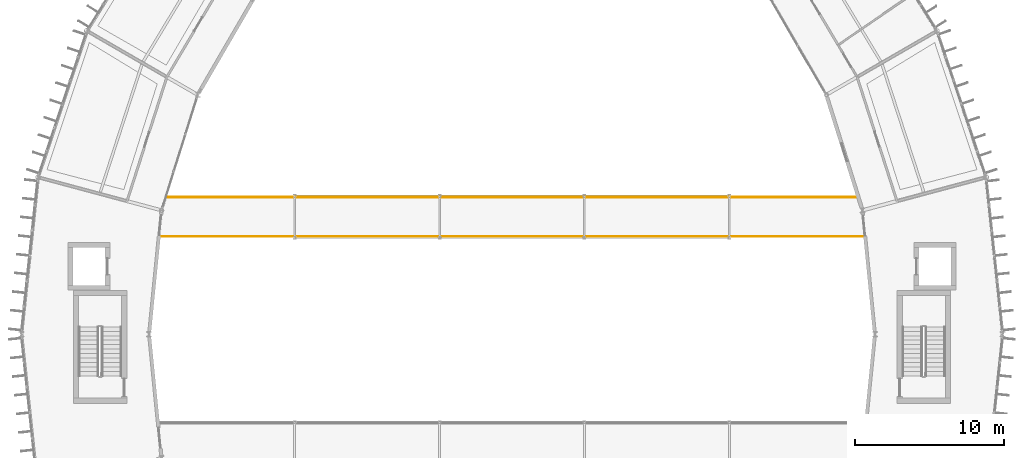
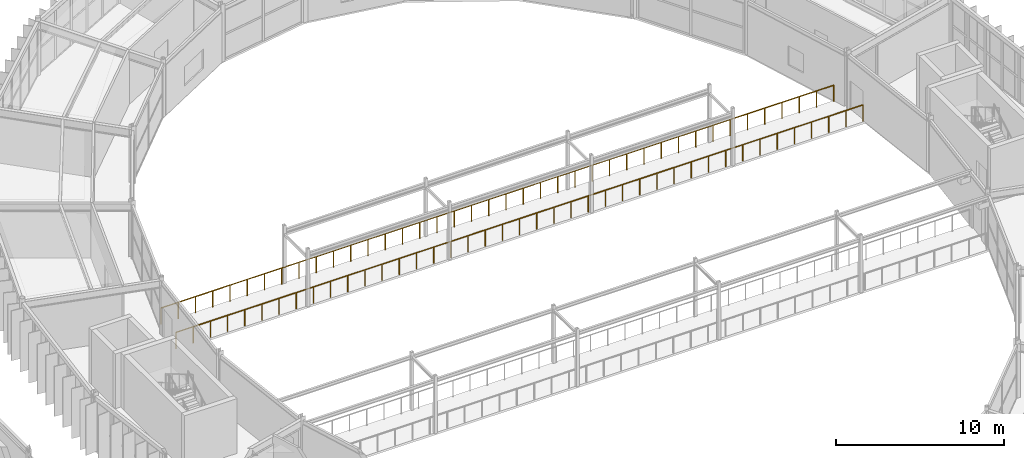
# One storey, part 141 of 148: 2 railings.
"""IFC4 building model written with IfcOpenShell, lengths in metres."""

from ifc_helpers import new_model, si_unit, direction, frame, origin, origin_2d, place, context, subcontext, project, spatial, circle, extrude, material, type_object, element, save


model = new_model("IFC4")

# Units and contexts
model_context = context("Model", 3, precision=1e-05, world=origin(), true_north=direction((0.0, 1.0)))
body_context = subcontext(model_context, "Body", "Model", "MODEL_VIEW")
ifc_project = project(units=[si_unit("LENGTHUNIT", "METRE"), si_unit("AREAUNIT", "SQUARE_METRE"), si_unit("VOLUMEUNIT", "CUBIC_METRE"), si_unit("PLANEANGLEUNIT", "RADIAN"), si_unit("MASSUNIT", "GRAM", prefix="KILO")], contexts=[model_context])

# Site, building, storey
site_placement = place(None, origin())
site = spatial("IfcSite", under=ifc_project, at=site_placement, CompositionType="ELEMENT")
building_placement = place(site_placement, origin())
building = spatial("IfcBuilding", under=site, at=building_placement, Name="Karori Crest Natural Sciences Institute", CompositionType="ELEMENT")
storey_placement = place(building_placement, frame((0.0, 0.0, 4.89990234375)))
storey = spatial("IfcBuildingStorey", under=building, at=storey_placement, Name="L01", CompositionType="ELEMENT", Elevation=4.89990234375)

# Railings
ifc_material = material(Name="Stainless steel 316 balustrade", Category="steel")
railing_type = type_object("IfcRailingType", Name="RLT-GRD", PredefinedType="GUARDRAIL", material=ifc_material)
railing_1_placement = place(storey_placement, frame((42.788330078125, 56.47998046875, 0.0)))
element("IfcRailing", 1, at=railing_1_placement, inside=storey, type_object=railing_type, Name="Courtyard bridge south guard GR-0005", PredefinedType="GUARDRAIL", context=body_context, shape_type="SweptSolid", body=[
    extrude(circle(Radius=0.02392578125, at=origin_2d()), frame((0.0, 0.0, 1.17578125), z_axis=(1.0, 0.0, 0.0), x_axis=(0.0, 1.0, 0.0)), (0.0, 0.0, 1.0), 47.223388671875),
    extrude(circle(Radius=0.02099609375, at=origin_2d()), origin(), (0.0, 0.0, 1.0), 1.15185546875),
    extrude(circle(Radius=0.02099609375, at=origin_2d()), frame((1.1806640625, 0.0, 0.0)), (0.0, 0.0, 1.0), 1.15185546875),
    extrude(circle(Radius=0.02099609375, at=origin_2d()), frame((2.361083984375, 0.0, 0.0)), (0.0, 0.0, 1.0), 1.15185546875),
    extrude(circle(Radius=0.02099609375, at=origin_2d()), frame((3.541748046875, 0.0, 0.0)), (0.0, 0.0, 1.0), 1.15185546875),
    extrude(circle(Radius=0.02099609375, at=origin_2d()), frame((4.722412109375, 0.0, 0.0)), (0.0, 0.0, 1.0), 1.15185546875),
    extrude(circle(Radius=0.02099609375, at=origin_2d()), frame((5.90283203125, 0.0, 0.0)), (0.0, 0.0, 1.0), 1.15185546875),
    extrude(circle(Radius=0.02099609375, at=origin_2d()), frame((7.08349609375, 0.0, 0.0)), (0.0, 0.0, 1.0), 1.15185546875),
    extrude(circle(Radius=0.02099609375, at=origin_2d()), frame((8.26416015625, 0.0, 0.0)), (0.0, 0.0, 1.0), 1.15185546875),
    extrude(circle(Radius=0.02099609375, at=origin_2d()), frame((9.444580078125, 0.0, 0.0)), (0.0, 0.0, 1.0), 1.15185546875),
    extrude(circle(Radius=0.02099609375, at=origin_2d()), frame((10.625244140625, 0.0, 0.0)), (0.0, 0.0, 1.0), 1.15185546875),
    extrude(circle(Radius=0.02099609375, at=origin_2d()), frame((11.805908203125, 0.0, 0.0)), (0.0, 0.0, 1.0), 1.15185546875),
    extrude(circle(Radius=0.02099609375, at=origin_2d()), frame((12.986328125, 0.0, 0.0)), (0.0, 0.0, 1.0), 1.15185546875),
    extrude(circle(Radius=0.02099609375, at=origin_2d()), frame((14.1669921875, 0.0, 0.0)), (0.0, 0.0, 1.0), 1.15185546875),
    extrude(circle(Radius=0.02099609375, at=origin_2d()), frame((15.34765625, 0.0, 0.0)), (0.0, 0.0, 1.0), 1.15185546875),
    extrude(circle(Radius=0.02099609375, at=origin_2d()), frame((16.528076171875, 0.0, 0.0)), (0.0, 0.0, 1.0), 1.15185546875),
    extrude(circle(Radius=0.02099609375, at=origin_2d()), frame((17.708740234375, 0.0, 0.0)), (0.0, 0.0, 1.0), 1.15185546875),
    extrude(circle(Radius=0.02099609375, at=origin_2d()), frame((18.889404296875, 0.0, 0.0)), (0.0, 0.0, 1.0), 1.15185546875),
    extrude(circle(Radius=0.02099609375, at=origin_2d()), frame((20.06982421875, 0.0, 0.0)), (0.0, 0.0, 1.0), 1.15185546875),
    extrude(circle(Radius=0.02099609375, at=origin_2d()), frame((21.25048828125, 0.0, 0.0)), (0.0, 0.0, 1.0), 1.15185546875),
    extrude(circle(Radius=0.02099609375, at=origin_2d()), frame((22.43115234375, 0.0, 0.0)), (0.0, 0.0, 1.0), 1.15185546875),
    extrude(circle(Radius=0.02099609375, at=origin_2d()), frame((23.61181640625, 0.0, 0.0)), (0.0, 0.0, 1.0), 1.15185546875),
    extrude(circle(Radius=0.02099609375, at=origin_2d()), frame((24.792236328125, 0.0, 0.0)), (0.0, 0.0, 1.0), 1.15185546875),
    extrude(circle(Radius=0.02099609375, at=origin_2d()), frame((25.972900390625, 0.0, 0.0)), (0.0, 0.0, 1.0), 1.15185546875),
    extrude(circle(Radius=0.02099609375, at=origin_2d()), frame((27.153564453125, 0.0, 0.0)), (0.0, 0.0, 1.0), 1.15185546875),
    extrude(circle(Radius=0.02099609375, at=origin_2d()), frame((28.333984375, 0.0, 0.0)), (0.0, 0.0, 1.0), 1.15185546875),
    extrude(circle(Radius=0.02099609375, at=origin_2d()), frame((29.5146484375, 0.0, 0.0)), (0.0, 0.0, 1.0), 1.15185546875),
    extrude(circle(Radius=0.02099609375, at=origin_2d()), frame((30.6953125, 0.0, 0.0)), (0.0, 0.0, 1.0), 1.15185546875),
    extrude(circle(Radius=0.02099609375, at=origin_2d()), frame((31.875732421875, 0.0, 0.0)), (0.0, 0.0, 1.0), 1.15185546875),
    extrude(circle(Radius=0.02099609375, at=origin_2d()), frame((33.056396484375, 0.0, 0.0)), (0.0, 0.0, 1.0), 1.15185546875),
    extrude(circle(Radius=0.02099609375, at=origin_2d()), frame((34.237060546875, 0.0, 0.0)), (0.0, 0.0, 1.0), 1.15185546875),
    extrude(circle(Radius=0.02099609375, at=origin_2d()), frame((35.41748046875, 0.0, 0.0)), (0.0, 0.0, 1.0), 1.15185546875),
    extrude(circle(Radius=0.02099609375, at=origin_2d()), frame((36.59814453125, 0.0, 0.0)), (0.0, 0.0, 1.0), 1.15185546875),
    extrude(circle(Radius=0.02099609375, at=origin_2d()), frame((37.77880859375, 0.0, 0.0)), (0.0, 0.0, 1.0), 1.15185546875),
    extrude(circle(Radius=0.02099609375, at=origin_2d()), frame((38.959228515625, 0.0, 0.0)), (0.0, 0.0, 1.0), 1.15185546875),
    extrude(circle(Radius=0.02099609375, at=origin_2d()), frame((40.139892578125, 0.0, 0.0)), (0.0, 0.0, 1.0), 1.15185546875),
    extrude(circle(Radius=0.02099609375, at=origin_2d()), frame((41.320556640625, 0.0, 0.0)), (0.0, 0.0, 1.0), 1.15185546875),
    extrude(circle(Radius=0.02099609375, at=origin_2d()), frame((42.5009765625, 0.0, 0.0)), (0.0, 0.0, 1.0), 1.15185546875),
    extrude(circle(Radius=0.02099609375, at=origin_2d()), frame((43.681640625, 0.0, 0.0)), (0.0, 0.0, 1.0), 1.15185546875),
    extrude(circle(Radius=0.02099609375, at=origin_2d()), frame((44.8623046875, 0.0, 0.0)), (0.0, 0.0, 1.0), 1.15185546875),
    extrude(circle(Radius=0.02099609375, at=origin_2d()), frame((46.042724609375, 0.0, 0.0)), (0.0, 0.0, 1.0), 1.15185546875),
    extrude(circle(Radius=0.02099609375, at=origin_2d()), frame((47.223388671875, 0.0, 0.0)), (0.0, 0.0, 1.0), 1.15185546875),
])
railing_2_placement = place(storey_placement, frame((43.274658203125, 59.1201171875, 0.0)))
element("IfcRailing", 2, at=railing_2_placement, inside=storey, type_object=railing_type, Name="Courtyard bridge north guard GR-0006", PredefinedType="GUARDRAIL", context=body_context, shape_type="SweptSolid", body=[
    extrude(circle(Radius=0.02392578125, at=origin_2d()), frame((0.0, 0.0, 1.17578125), z_axis=(1.0, 0.0, 0.0), x_axis=(0.0, 1.0, 0.0)), (0.0, 0.0, 1.0), 46.250732421875),
    extrude(circle(Radius=0.02099609375, at=origin_2d()), origin(), (0.0, 0.0, 1.0), 1.15185546875),
    extrude(circle(Radius=0.02099609375, at=origin_2d()), frame((1.18603515625, 0.0, 0.0)), (0.0, 0.0, 1.0), 1.15185546875),
    extrude(circle(Radius=0.02099609375, at=origin_2d()), frame((2.371826171875, 0.0, 0.0)), (0.0, 0.0, 1.0), 1.15185546875),
    extrude(circle(Radius=0.02099609375, at=origin_2d()), frame((3.557861328125, 0.0, 0.0)), (0.0, 0.0, 1.0), 1.15185546875),
    extrude(circle(Radius=0.02099609375, at=origin_2d()), frame((4.74365234375, 0.0, 0.0)), (0.0, 0.0, 1.0), 1.15185546875),
    extrude(circle(Radius=0.02099609375, at=origin_2d()), frame((5.9296875, 0.0, 0.0)), (0.0, 0.0, 1.0), 1.15185546875),
    extrude(circle(Radius=0.02099609375, at=origin_2d()), frame((7.115478515625, 0.0, 0.0)), (0.0, 0.0, 1.0), 1.15185546875),
    extrude(circle(Radius=0.02099609375, at=origin_2d()), frame((8.301513671875, 0.0, 0.0)), (0.0, 0.0, 1.0), 1.15185546875),
    extrude(circle(Radius=0.02099609375, at=origin_2d()), frame((9.4873046875, 0.0, 0.0)), (0.0, 0.0, 1.0), 1.15185546875),
    extrude(circle(Radius=0.02099609375, at=origin_2d()), frame((10.67333984375, 0.0, 0.0)), (0.0, 0.0, 1.0), 1.15185546875),
    extrude(circle(Radius=0.02099609375, at=origin_2d()), frame((11.859130859375, 0.0, 0.0)), (0.0, 0.0, 1.0), 1.15185546875),
    extrude(circle(Radius=0.02099609375, at=origin_2d()), frame((13.045166015625, 0.0, 0.0)), (0.0, 0.0, 1.0), 1.15185546875),
    extrude(circle(Radius=0.02099609375, at=origin_2d()), frame((14.23095703125, 0.0, 0.0)), (0.0, 0.0, 1.0), 1.15185546875),
    extrude(circle(Radius=0.02099609375, at=origin_2d()), frame((15.4169921875, 0.0, 0.0)), (0.0, 0.0, 1.0), 1.15185546875),
    extrude(circle(Radius=0.02099609375, at=origin_2d()), frame((16.602783203125, 0.0, 0.0)), (0.0, 0.0, 1.0), 1.15185546875),
    extrude(circle(Radius=0.02099609375, at=origin_2d()), frame((17.788818359375, 0.0, 0.0)), (0.0, 0.0, 1.0), 1.15185546875),
    extrude(circle(Radius=0.02099609375, at=origin_2d()), frame((18.974609375, 0.0, 0.0)), (0.0, 0.0, 1.0), 1.15185546875),
    extrude(circle(Radius=0.02099609375, at=origin_2d()), frame((20.16064453125, 0.0, 0.0)), (0.0, 0.0, 1.0), 1.15185546875),
    extrude(circle(Radius=0.02099609375, at=origin_2d()), frame((21.346435546875, 0.0, 0.0)), (0.0, 0.0, 1.0), 1.15185546875),
    extrude(circle(Radius=0.02099609375, at=origin_2d()), frame((22.532470703125, 0.0, 0.0)), (0.0, 0.0, 1.0), 1.15185546875),
    extrude(circle(Radius=0.02099609375, at=origin_2d()), frame((23.71826171875, 0.0, 0.0)), (0.0, 0.0, 1.0), 1.15185546875),
    extrude(circle(Radius=0.02099609375, at=origin_2d()), frame((24.904296875, 0.0, 0.0)), (0.0, 0.0, 1.0), 1.15185546875),
    extrude(circle(Radius=0.02099609375, at=origin_2d()), frame((26.090087890625, 0.0, 0.0)), (0.0, 0.0, 1.0), 1.15185546875),
    extrude(circle(Radius=0.02099609375, at=origin_2d()), frame((27.276123046875, 0.0, 0.0)), (0.0, 0.0, 1.0), 1.15185546875),
    extrude(circle(Radius=0.02099609375, at=origin_2d()), frame((28.4619140625, 0.0, 0.0)), (0.0, 0.0, 1.0), 1.15185546875),
    extrude(circle(Radius=0.02099609375, at=origin_2d()), frame((29.64794921875, 0.0, 0.0)), (0.0, 0.0, 1.0), 1.15185546875),
    extrude(circle(Radius=0.02099609375, at=origin_2d()), frame((30.833740234375, 0.0, 0.0)), (0.0, 0.0, 1.0), 1.15185546875),
    extrude(circle(Radius=0.02099609375, at=origin_2d()), frame((32.019775390625, 0.0, 0.0)), (0.0, 0.0, 1.0), 1.15185546875),
    extrude(circle(Radius=0.02099609375, at=origin_2d()), frame((33.20556640625, 0.0, 0.0)), (0.0, 0.0, 1.0), 1.15185546875),
    extrude(circle(Radius=0.02099609375, at=origin_2d()), frame((34.3916015625, 0.0, 0.0)), (0.0, 0.0, 1.0), 1.15185546875),
    extrude(circle(Radius=0.02099609375, at=origin_2d()), frame((35.577392578125, 0.0, 0.0)), (0.0, 0.0, 1.0), 1.15185546875),
    extrude(circle(Radius=0.02099609375, at=origin_2d()), frame((36.763427734375, 0.0, 0.0)), (0.0, 0.0, 1.0), 1.15185546875),
    extrude(circle(Radius=0.02099609375, at=origin_2d()), frame((37.94921875, 0.0, 0.0)), (0.0, 0.0, 1.0), 1.15185546875),
    extrude(circle(Radius=0.02099609375, at=origin_2d()), frame((39.13525390625, 0.0, 0.0)), (0.0, 0.0, 1.0), 1.15185546875),
    extrude(circle(Radius=0.02099609375, at=origin_2d()), frame((40.321044921875, 0.0, 0.0)), (0.0, 0.0, 1.0), 1.15185546875),
    extrude(circle(Radius=0.02099609375, at=origin_2d()), frame((41.507080078125, 0.0, 0.0)), (0.0, 0.0, 1.0), 1.15185546875),
    extrude(circle(Radius=0.02099609375, at=origin_2d()), frame((42.69287109375, 0.0, 0.0)), (0.0, 0.0, 1.0), 1.15185546875),
    extrude(circle(Radius=0.02099609375, at=origin_2d()), frame((43.87890625, 0.0, 0.0)), (0.0, 0.0, 1.0), 1.15185546875),
    extrude(circle(Radius=0.02099609375, at=origin_2d()), frame((45.064697265625, 0.0, 0.0)), (0.0, 0.0, 1.0), 1.15185546875),
    extrude(circle(Radius=0.02099609375, at=origin_2d()), frame((46.250732421875, 0.0, 0.0)), (0.0, 0.0, 1.0), 1.15185546875),
])

save(model, "model.ifc")
